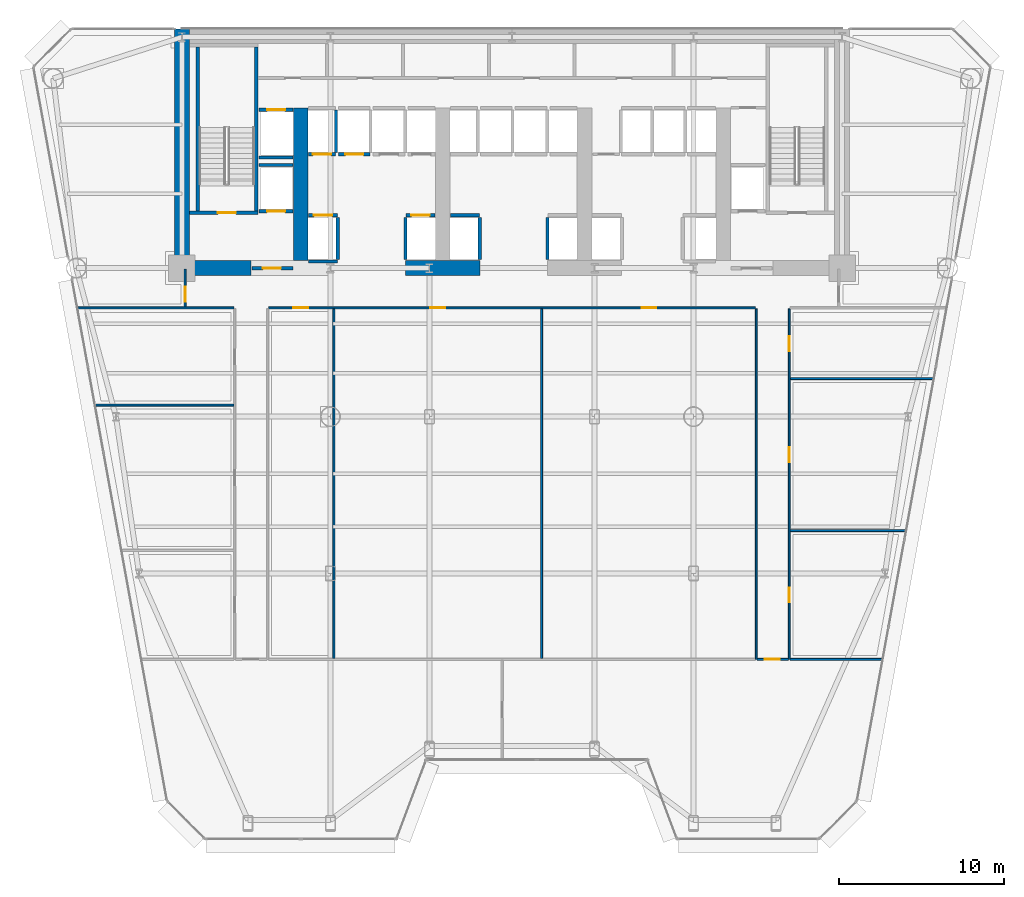
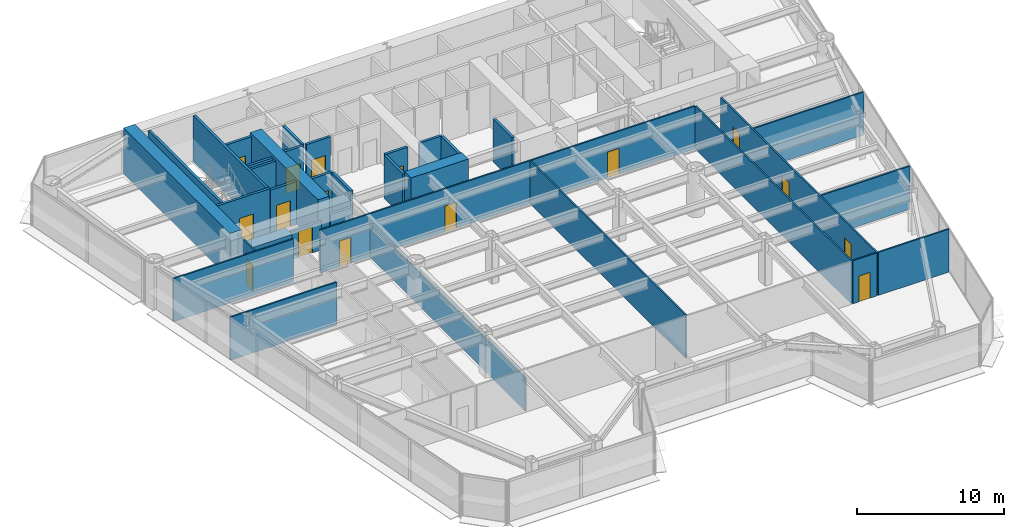
# One storey, part 8 of 14: 35 walls, 16 doors, 16 openings.
"""IFC4 building model written with IfcOpenShell, lengths in metres."""

from ifc_helpers import new_model, si_unit, direction, frame, frame_2d, origin, place, context, subcontext, project, spatial, rectangle, extrude, source, transform, mapped, material, layer, layer_set, type_object, element, fill, save


model = new_model("IFC4")

# Units and contexts
model_context = context("Model", 3, precision=1e-05, world=origin(), true_north=direction((0.0, 1.0)))
body_context = subcontext(model_context, "Body", "Model", "MODEL_VIEW")
ifc_project = project(units=[si_unit("LENGTHUNIT", "METRE"), si_unit("AREAUNIT", "SQUARE_METRE"), si_unit("VOLUMEUNIT", "CUBIC_METRE"), si_unit("PLANEANGLEUNIT", "RADIAN"), si_unit("MASSUNIT", "GRAM", prefix="KILO")], contexts=[model_context])

# Site, building, storey
site_placement = place(None, origin())
site = spatial("IfcSite", under=ifc_project, at=site_placement, CompositionType="ELEMENT")
building_placement = place(site_placement, origin())
building = spatial("IfcBuilding", under=site, at=building_placement, Name="Vaeldorn Concourse Tower", CompositionType="ELEMENT")
storey_placement = place(building_placement, frame((0.0, 0.0, 49.199951171875)))
storey = spatial("IfcBuildingStorey", under=building, at=storey_placement, Name="L12", CompositionType="ELEMENT", Elevation=49.199951171875)

# Walls
ifc_material_1 = material(Name="Concrete C60/75", Category="concrete")
ifc_layer_1 = layer(ifc_material_1, 0.89990234375)
ifc_layer_set_1 = layer_set([ifc_layer_1], Name="Concrete C60/75")
wall_type_1 = type_object("IfcWallType", Name="WL-CORE-900", PredefinedType="SHEAR", material=ifc_layer_set_1)
wall_1_placement = place(storey_placement, frame((14.0, 36.5, 0.0), z_axis=(0.0, 0.0, 1.0), x_axis=(0.0, 1.0, 0.0)))
element("IfcWall", 1, at=wall_1_placement, inside=storey, type_object=wall_type_1, Name="Rear Core Shear Wall L12 W1", PredefinedType="SHEAR", context=body_context, shape_type="SweptSolid", body=[
    extrude(rectangle(XDim=14.5, YDim=0.89990234375, at=frame_2d((7.25, 0.0))), origin(), (0.0, 0.0, 1.0), 3.800048828125),
])
wall_2_placement = place(storey_placement, frame((14.469970703125, 36.5, 0.0), z_axis=(0.0, 0.0, 1.0), x_axis=(1.0, 0.0, 0.0)))
element("IfcWall", 2, at=wall_2_placement, inside=storey, type_object=wall_type_1, Name="Rear Core Shear Wall L12 S1", PredefinedType="SHEAR", context=body_context, shape_type="SweptSolid", body=[
    extrude(rectangle(XDim=3.72998046875, YDim=0.89990234375, at=frame_2d((1.864990234375, 0.0))), origin(), (0.0, 0.0, 1.0), 2.380126953125),
])
wall_3_placement = place(storey_placement, frame((27.550048828125, 36.5, 0.0), z_axis=(0.0, 0.0, 1.0), x_axis=(1.0, 0.0, 0.0)))
element("IfcWall", 3, at=wall_3_placement, inside=storey, type_object=wall_type_1, Name="Rear Core Shear Wall L12 S2", PredefinedType="SHEAR", context=body_context, shape_type="SweptSolid", body=[
    extrude(rectangle(XDim=4.5, YDim=0.89990234375, at=frame_2d((2.25, 0.0))), origin(), (0.0, 0.0, 1.0), 3.800048828125),
])
wall_4_placement = place(storey_placement, frame((21.199951171875, 36.969970703125, 0.0), z_axis=(0.0, 0.0, 1.0), x_axis=(0.0, 1.0, 0.0)))
element("IfcWall", 4, at=wall_4_placement, inside=storey, type_object=wall_type_1, Name="Rear Core Shear Wall L12 M1", PredefinedType="SHEAR", context=body_context, shape_type="SweptSolid", body=[
    extrude(rectangle(XDim=9.22998046875, YDim=0.89990234375, at=frame_2d((4.614990234375, 0.0))), origin(), (0.0, 0.0, 1.0), 3.800048828125),
])

# Wall, openings, doors
ifc_material_2 = material(Name="Gypsum Board Partition", Category="gypsum")
ifc_layer_2 = layer(ifc_material_2, 0.1201171875)
ifc_layer_set_2 = layer_set([ifc_layer_2], Name="Gypsum Board Partition")
wall_type_2 = type_object("IfcWallType", Name="WL-PART-120", PredefinedType="PARTITIONING", material=ifc_layer_set_2)
wall_5_placement = place(storey_placement, frame((19.260009765625, 34.10009765625, 0.0), z_axis=(0.0, 0.0, 1.0), x_axis=(1.0, 0.0, 0.0)))
wall_5 = element("IfcWall", 5, at=wall_5_placement, inside=storey, type_object=wall_type_2, Name="Interior Wall PW-L12-CEWS", PredefinedType="PARTITIONING", context=body_context, shape_type="SweptSolid", body=[
    extrude(rectangle(XDim=29.47998046875, YDim=0.1201171875, at=frame_2d((14.739990234375, 0.0))), origin(), (0.0, 0.0, 1.0), 3.580078125),
])
opening_1_placement = place(wall_5_placement, frame((1.489990234375, 0.0, 0.0)))
opening_1 = element("IfcOpeningElement", 6, at=opening_1_placement, cuts=wall_5, Name="Opening D-03", PredefinedType="OPENING", context=body_context, shape_type="SweptSolid", body=[
    extrude(rectangle(XDim=0.89990234375, YDim=2.14990234375, at=frame_2d((0.449951171875, 1.074951171875))), frame((0.0, 0.070068359375, 0.0), z_axis=(0.0, -1.0, 0.0), x_axis=(1.0, 0.0, 0.0)), (0.0, 0.0, 1.0), 0.14013671875),
])
opening_2_placement = place(wall_5_placement, frame((9.7900390625, 0.0, 0.0)))
opening_2 = element("IfcOpeningElement", 7, at=opening_2_placement, cuts=wall_5, Name="Opening D-03", PredefinedType="OPENING", context=body_context, shape_type="SweptSolid", body=[
    extrude(rectangle(XDim=0.89990234375, YDim=2.14990234375, at=frame_2d((0.449951171875, 1.074951171875))), frame((0.0, 0.070068359375, 0.0), z_axis=(0.0, -1.0, 0.0), x_axis=(1.0, 0.0, 0.0)), (0.0, 0.0, 1.0), 0.14013671875),
])
opening_3_placement = place(wall_5_placement, frame((22.590087890625, 0.0, 0.0)))
opening_3 = element("IfcOpeningElement", 8, at=opening_3_placement, cuts=wall_5, Name="Opening D-03", PredefinedType="OPENING", context=body_context, shape_type="SweptSolid", body=[
    extrude(rectangle(XDim=0.89990234375, YDim=2.14990234375, at=frame_2d((0.449951171875, 1.074951171875))), frame((0.0, 0.070068359375, 0.0), z_axis=(0.0, -1.0, 0.0), x_axis=(1.0, 0.0, 0.0)), (0.0, 0.0, 1.0), 0.14013671875),
])
ifc_material_3 = material(Name="Acoustic Bronze-Framed Glass Door", Category="glass")
door_type_1 = type_object("IfcDoorType", Name="DR-INT-900", OperationType="NOTDEFINED", PredefinedType="DOOR", material=ifc_material_3)
shared_shape_1 = source(origin(), body_context, "Body", "SweptSolid", [
    extrude(rectangle(XDim=0.89990234375, YDim=2.14990234375, at=frame_2d((0.449951171875, 1.074951171875))), frame((0.0, 0.02490234375, 0.0), z_axis=(0.0, -1.0, 0.0), x_axis=(1.0, 0.0, 0.0)), (0.0, 0.0, 1.0), 0.050048828125),
])
door_1_placement = place(opening_1_placement, origin())
door_1 = element("IfcDoor", 9, at=door_1_placement, inside=storey, type_object=door_type_1, Name="Interior Door DR-L12-H1", OperationType="SINGLE_SWING_LEFT", OverallHeight=2.14990234375, OverallWidth=0.89990234375, PredefinedType="DOOR", context=body_context, shape_type="MappedRepresentation", body=[
    mapped(shared_shape_1, transform((0.0, 0.0, 0.0), scale=1.0)),
])
fill(opening_1, door_1)
door_2_placement = place(opening_2_placement, origin())
door_2 = element("IfcDoor", 10, at=door_2_placement, inside=storey, type_object=door_type_1, Name="Interior Door DR-L12-H2", OperationType="SINGLE_SWING_RIGHT", OverallHeight=2.14990234375, OverallWidth=0.89990234375, PredefinedType="DOOR", context=body_context, shape_type="MappedRepresentation", body=[
    mapped(shared_shape_1, transform((0.0, 0.0, 0.0), scale=1.0)),
])
fill(opening_2, door_2)
door_3_placement = place(opening_3_placement, origin())
door_3 = element("IfcDoor", 11, at=door_3_placement, inside=storey, type_object=door_type_1, Name="Interior Door DR-L12-H3", OperationType="SINGLE_SWING_LEFT", OverallHeight=2.14990234375, OverallWidth=0.89990234375, PredefinedType="DOOR", context=body_context, shape_type="MappedRepresentation", body=[
    mapped(shared_shape_1, transform((0.0, 0.0, 0.0), scale=1.0)),
])
fill(opening_3, door_3)

# Wall
wall_6_placement = place(storey_placement, frame((7.697998046875, 34.10009765625, 0.0), z_axis=(0.0, 0.0, 1.0), x_axis=(1.0, 0.0, 0.0)))
element("IfcWall", 12, at=wall_6_placement, inside=storey, type_object=wall_type_2, Name="Interior Wall PW-L12-CEWW", PredefinedType="PARTITIONING", context=body_context, shape_type="SweptSolid", body=[
    extrude(rectangle(XDim=9.44189453125, YDim=0.1201171875, at=frame_2d((4.720947265625, 0.0))), origin(), (0.0, 0.0, 1.0), 3.580078125),
])

# Wall, opening, door
wall_7_placement = place(storey_placement, frame((14.199951171875, 34.159912109375, 0.0), z_axis=(0.0, 0.0, 1.0), x_axis=(0.0, 1.0, 0.0)))
wall_7 = element("IfcWall", 13, at=wall_7_placement, inside=storey, type_object=wall_type_2, Name="Interior Wall PW-L12-CWWT", PredefinedType="PARTITIONING", context=body_context, shape_type="SweptSolid", body=[
    extrude(rectangle(XDim=2.280029296875, YDim=0.1201171875, at=frame_2d((1.14013671875, 0.0))), origin(), (0.0, 0.0, 1.0), 3.580078125),
])
opening_4_placement = place(wall_7_placement, frame((0.300048828125, 0.0, 0.0)))
opening_4 = element("IfcOpeningElement", 14, at=opening_4_placement, cuts=wall_7, Name="Opening D-03", PredefinedType="OPENING", context=body_context, shape_type="SweptSolid", body=[
    extrude(rectangle(XDim=0.89990234375, YDim=2.14990234375, at=frame_2d((0.449951171875, 1.074951171875))), frame((0.0, 0.070068359375, 0.0), z_axis=(0.0, -1.0, 0.0), x_axis=(1.0, 0.0, 0.0)), (0.0, 0.0, 1.0), 0.14013671875),
])
door_4_placement = place(opening_4_placement, origin())
door_4 = element("IfcDoor", 15, at=door_4_placement, inside=storey, type_object=door_type_1, Name="Interior Door DR-L12-NW1", OperationType="SINGLE_SWING_LEFT", OverallHeight=2.14990234375, OverallWidth=0.89990234375, PredefinedType="DOOR", context=body_context, shape_type="MappedRepresentation", body=[
    mapped(shared_shape_1, transform((0.0, 0.0, 0.0), scale=1.0)),
])
fill(opening_4, door_4)

# Wall
wall_8_placement = place(storey_placement, frame((48.800048828125, 12.800048828125, 0.0), z_axis=(0.0, 0.0, 1.0), x_axis=(0.0, 1.0, 0.0)))
element("IfcWall", 16, at=wall_8_placement, inside=storey, type_object=wall_type_2, Name="Interior Wall PW-L12-CEW", PredefinedType="PARTITIONING", context=body_context, shape_type="SweptSolid", body=[
    extrude(rectangle(XDim=21.239990234375, YDim=0.1201171875, at=frame_2d((10.6201171875, 0.0))), origin(), (0.0, 0.0, 1.0), 3.580078125),
])

# Wall, openings, doors
wall_9_placement = place(storey_placement, frame((50.800048828125, 12.800048828125, 0.0), z_axis=(0.0, 0.0, 1.0), x_axis=(0.0, 1.0, 0.0)))
wall_9 = element("IfcWall", 17, at=wall_9_placement, inside=storey, type_object=wall_type_2, Name="Interior Wall PW-L12-CEE", PredefinedType="PARTITIONING", context=body_context, shape_type="SweptSolid", body=[
    extrude(rectangle(XDim=21.239990234375, YDim=0.1201171875, at=frame_2d((10.6201171875, 0.0))), origin(), (0.0, 0.0, 1.0), 3.580078125),
])
opening_5_placement = place(wall_9_placement, frame((3.449951171875, 0.0, 0.0)))
opening_5 = element("IfcOpeningElement", 18, at=opening_5_placement, cuts=wall_9, Name="Opening D-03", PredefinedType="OPENING", context=body_context, shape_type="SweptSolid", body=[
    extrude(rectangle(XDim=0.89990234375, YDim=2.14990234375, at=frame_2d((0.449951171875, 1.074951171875))), frame((0.0, 0.070068359375, 0.0), z_axis=(0.0, -1.0, 0.0), x_axis=(1.0, 0.0, 0.0)), (0.0, 0.0, 1.0), 0.14013671875),
])
opening_6_placement = place(wall_9_placement, frame((11.949951171875, 0.0, 0.0)))
opening_6 = element("IfcOpeningElement", 19, at=opening_6_placement, cuts=wall_9, Name="Opening D-03", PredefinedType="OPENING", context=body_context, shape_type="SweptSolid", body=[
    extrude(rectangle(XDim=0.89990234375, YDim=2.14990234375, at=frame_2d((0.449951171875, 1.074951171875))), frame((0.0, 0.070068359375, 0.0), z_axis=(0.0, -1.0, 0.0), x_axis=(1.0, 0.0, 0.0)), (0.0, 0.0, 1.0), 0.14013671875),
])
opening_7_placement = place(wall_9_placement, frame((18.669921875, 0.0, 0.0)))
opening_7 = element("IfcOpeningElement", 20, at=opening_7_placement, cuts=wall_9, Name="Opening D-03", PredefinedType="OPENING", context=body_context, shape_type="SweptSolid", body=[
    extrude(rectangle(XDim=0.89990234375, YDim=2.14990234375, at=frame_2d((0.449951171875, 1.074951171875))), frame((0.0, 0.070068359375, 0.0), z_axis=(0.0, -1.0, 0.0), x_axis=(1.0, 0.0, 0.0)), (0.0, 0.0, 1.0), 0.14013671875),
])
door_5_placement = place(opening_5_placement, origin())
door_5 = element("IfcDoor", 21, at=door_5_placement, inside=storey, type_object=door_type_1, Name="Interior Door DR-L12-E1", OperationType="SINGLE_SWING_RIGHT", OverallHeight=2.14990234375, OverallWidth=0.89990234375, PredefinedType="DOOR", context=body_context, shape_type="MappedRepresentation", body=[
    mapped(shared_shape_1, transform((0.0, 0.0, 0.0), scale=1.0)),
])
fill(opening_5, door_5)
door_6_placement = place(opening_6_placement, origin())
door_6 = element("IfcDoor", 22, at=door_6_placement, inside=storey, type_object=door_type_1, Name="Interior Door DR-L12-E2", OperationType="SINGLE_SWING_LEFT", OverallHeight=2.14990234375, OverallWidth=0.89990234375, PredefinedType="DOOR", context=body_context, shape_type="MappedRepresentation", body=[
    mapped(shared_shape_1, transform((0.0, 0.0, 0.0), scale=1.0)),
])
fill(opening_6, door_6)
door_7_placement = place(opening_7_placement, origin())
door_7 = element("IfcDoor", 23, at=door_7_placement, inside=storey, type_object=door_type_1, Name="Interior Door DR-L12-E3", OperationType="SINGLE_SWING_RIGHT", OverallHeight=2.14990234375, OverallWidth=0.89990234375, PredefinedType="DOOR", context=body_context, shape_type="MappedRepresentation", body=[
    mapped(shared_shape_1, transform((0.0, 0.0, 0.0), scale=1.0)),
])
fill(opening_7, door_7)

# Wall, opening, door
wall_10_placement = place(storey_placement, frame((48.860107421875, 12.800048828125, 0.0), z_axis=(0.0, 0.0, 1.0), x_axis=(1.0, 0.0, 0.0)))
wall_10 = element("IfcWall", 24, at=wall_10_placement, inside=storey, type_object=wall_type_2, Name="Interior Wall PW-L12-CES", PredefinedType="PARTITIONING", context=body_context, shape_type="SweptSolid", body=[
    extrude(rectangle(XDim=1.8798828125, YDim=0.1201171875, at=frame_2d((0.93994140625, 0.0))), origin(), (0.0, 0.0, 1.0), 3.580078125),
])
opening_8_placement = place(wall_10_placement, frame((0.449951171875, 0.0, 0.0)))
opening_8 = element("IfcOpeningElement", 25, at=opening_8_placement, cuts=wall_10, Name="Opening D-03", PredefinedType="OPENING", context=body_context, shape_type="SweptSolid", body=[
    extrude(rectangle(XDim=0.89990234375, YDim=2.14990234375, at=frame_2d((0.449951171875, 1.074951171875))), frame((0.0, 0.070068359375, 0.0), z_axis=(0.0, -1.0, 0.0), x_axis=(1.0, 0.0, 0.0)), (0.0, 0.0, 1.0), 0.14013671875),
])
door_8_placement = place(opening_8_placement, origin())
door_8 = element("IfcDoor", 26, at=door_8_placement, inside=storey, type_object=door_type_1, Name="Interior Door DR-L12-SEL", OperationType="SINGLE_SWING_RIGHT", OverallHeight=2.14990234375, OverallWidth=0.89990234375, PredefinedType="DOOR", context=body_context, shape_type="MappedRepresentation", body=[
    mapped(shared_shape_1, transform((0.0, 0.0, 0.0), scale=1.0)),
])
fill(opening_8, door_8)

# Walls
wall_11_placement = place(storey_placement, frame((8.772216796875, 28.199951171875, 0.0), z_axis=(0.0, 0.0, 1.0), x_axis=(1.0, 0.0, 0.0)))
element("IfcWall", 27, at=wall_11_placement, inside=storey, type_object=wall_type_2, Name="Interior Wall PW-L12-WY2", PredefinedType="PARTITIONING", context=body_context, shape_type="SweptSolid", body=[
    extrude(rectangle(XDim=8.36767578125, YDim=0.1201171875, at=frame_2d((4.183837890625, 0.0))), origin(), (0.0, 0.0, 1.0), 3.580078125),
])
wall_12_placement = place(storey_placement, frame((50.860107421875, 12.800048828125, 0.0), z_axis=(0.0, 0.0, 1.0), x_axis=(1.0, 0.0, 0.0)))
element("IfcWall", 28, at=wall_12_placement, inside=storey, type_object=wall_type_2, Name="Interior Wall PW-L12-EY0", PredefinedType="PARTITIONING", context=body_context, shape_type="SweptSolid", body=[
    extrude(rectangle(XDim=5.56396484375, YDim=0.1201171875, at=frame_2d((2.781982421875, 0.0))), origin(), (0.0, 0.0, 1.0), 3.580078125),
])
wall_13_placement = place(storey_placement, frame((50.860107421875, 20.60009765625, 0.0), z_axis=(0.0, 0.0, 1.0), x_axis=(1.0, 0.0, 0.0)))
element("IfcWall", 29, at=wall_13_placement, inside=storey, type_object=wall_type_2, Name="Interior Wall PW-L12-EY1", PredefinedType="PARTITIONING", context=body_context, shape_type="SweptSolid", body=[
    extrude(rectangle(XDim=6.98388671875, YDim=0.1201171875, at=frame_2d((3.491943359375, 0.0))), origin(), (0.0, 0.0, 1.0), 3.580078125),
])
wall_14_placement = place(storey_placement, frame((50.860107421875, 29.800048828125, 0.0), z_axis=(0.0, 0.0, 1.0), x_axis=(1.0, 0.0, 0.0)))
element("IfcWall", 30, at=wall_14_placement, inside=storey, type_object=wall_type_2, Name="Interior Wall PW-L12-EY2", PredefinedType="PARTITIONING", context=body_context, shape_type="SweptSolid", body=[
    extrude(rectangle(XDim=8.658935546875, YDim=0.1201171875, at=frame_2d((4.32958984375, 0.0))), origin(), (0.0, 0.0, 1.0), 3.580078125),
])
wall_15_placement = place(storey_placement, frame((23.199951171875, 12.860107421875, 0.0), z_axis=(0.0, 0.0, 1.0), x_axis=(0.0, 1.0, 0.0)))
element("IfcWall", 31, at=wall_15_placement, inside=storey, type_object=wall_type_2, Name="Interior Wall PW-L12-HX1", PredefinedType="PARTITIONING", context=body_context, shape_type="SweptSolid", body=[
    extrude(rectangle(XDim=21.179931640625, YDim=0.1201171875, at=frame_2d((10.58984375, 0.0))), origin(), (0.0, 0.0, 1.0), 2.77001953125),
])
wall_16_placement = place(storey_placement, frame((35.800048828125, 12.860107421875, 0.0), z_axis=(0.0, 0.0, 1.0), x_axis=(0.0, 1.0, 0.0)))
element("IfcWall", 32, at=wall_16_placement, inside=storey, type_object=wall_type_2, Name="Interior Wall PW-L12-HX2", PredefinedType="PARTITIONING", context=body_context, shape_type="SweptSolid", body=[
    extrude(rectangle(XDim=21.179931640625, YDim=0.1201171875, at=frame_2d((10.58984375, 0.0))), origin(), (0.0, 0.0, 1.0), 3.580078125),
])

# Wall, opening, door
ifc_material_4 = material(Name="Concrete C50/60", Category="concrete")
ifc_layer_3 = layer(ifc_material_4, 0.199951171875)
ifc_layer_set_3 = layer_set([ifc_layer_3], Name="Concrete C50/60")
wall_type_3 = type_object("IfcWallType", Name="WL-SHAFT-200", PredefinedType="SOLIDWALL", material=ifc_layer_set_3)
wall_17_placement = place(storey_placement, frame((14.449951171875, 39.85009765625, 0.0), z_axis=(0.0, 0.0, 1.0), x_axis=(1.0, 0.0, 0.0)))
wall_17 = element("IfcWall", 33, at=wall_17_placement, inside=storey, type_object=wall_type_3, Name="Stair Shaft Wall CW-L12-ST-1-S", PredefinedType="SOLIDWALL", context=body_context, shape_type="SweptSolid", body=[
    extrude(rectangle(XDim=4.150146484375, YDim=0.199951171875, at=frame_2d((2.0751953125, 0.0))), origin(), (0.0, 0.0, 1.0), 3.800048828125),
])
opening_9_placement = place(wall_17_placement, frame((1.72509765625, 0.0, 0.0)))
opening_9 = element("IfcOpeningElement", 34, at=opening_9_placement, cuts=wall_17, Name="Opening D-01", PredefinedType="OPENING", context=body_context, shape_type="SweptSolid", body=[
    extrude(rectangle(XDim=1.10009765625, YDim=2.14990234375, at=frame_2d((0.550048828125, 1.074951171875))), frame((0.0, 0.10986328125, 0.0), z_axis=(0.0, -1.0, 0.0), x_axis=(1.0, 0.0, 0.0)), (0.0, 0.0, 1.0), 0.219970703125),
])
ifc_material_5 = material(Name="Fire-Rated Timber and Steel Leaf", Category="steel")
door_type_2 = type_object("IfcDoorType", Name="DR-FD60-1100", OperationType="NOTDEFINED", PredefinedType="DOOR", material=ifc_material_5)
shared_shape_2 = source(origin(), body_context, "Body", "SweptSolid", [
    extrude(rectangle(XDim=1.10009765625, YDim=2.14990234375, at=frame_2d((0.550048828125, 1.074951171875))), frame((0.0, 0.02490234375, 0.0), z_axis=(0.0, -1.0, 0.0), x_axis=(1.0, 0.0, 0.0)), (0.0, 0.0, 1.0), 0.050048828125),
])
door_9_placement = place(opening_9_placement, origin())
door_9 = element("IfcDoor", 35, at=door_9_placement, inside=storey, type_object=door_type_2, Name="Interior Door DR-L12-ST-1", OperationType="SINGLE_SWING_LEFT", OverallHeight=2.14990234375, OverallWidth=1.10009765625, PredefinedType="DOOR", context=body_context, shape_type="MappedRepresentation", body=[
    mapped(shared_shape_2, transform((0.0, 0.0, 0.0), scale=1.0)),
])
fill(opening_9, door_9)

# Walls
for number, where, z_axis, x_axis, name in (
    (36, (14.949951171875, 39.9599609375, 0.0), (0.0, 0.0, 1.0), (0.0, 1.0, 0.0), "Stair Shaft Wall CW-L12-ST-1-W"),
    (37, (18.5, 39.9599609375, 0.0), (0.0, 0.0, 1.0), (0.0, 1.0, 0.0), "Stair Shaft Wall CW-L12-ST-1-E"),
):
    element("IfcWall", number, at=place(storey_placement, frame(where, z_axis=z_axis, x_axis=x_axis)), inside=storey, type_object=wall_type_3, Name=name, PredefinedType="SOLIDWALL", context=body_context, shape_type="SweptSolid", body=[
        extrude(rectangle(XDim=9.929931640625, YDim=0.199951171875, at=frame_2d((4.96484375, 0.0))), origin(), (0.0, 0.0, 1.0), 3.800048828125),
    ])

# Wall, opening, door
wall_18_placement = place(storey_placement, frame((18.25, 36.5, 0.0), z_axis=(0.0, 0.0, 1.0), x_axis=(1.0, 0.0, 0.0)))
wall_18 = element("IfcWall", 38, at=wall_18_placement, inside=storey, type_object=wall_type_3, Name="Interior Wall CW-L12-FF1S", PredefinedType="SOLIDWALL", context=body_context, shape_type="SweptSolid", body=[
    extrude(rectangle(XDim=2.469970703125, YDim=0.199951171875, at=frame_2d((1.23486328125, 0.0))), origin(), (0.0, 0.0, 1.0), 2.3701171875),
])
opening_10_placement = place(wall_18_placement, frame((0.64990234375, 0.0, 0.0)))
opening_10 = element("IfcOpeningElement", 39, at=opening_10_placement, cuts=wall_18, Name="Opening D-01", PredefinedType="OPENING", context=body_context, shape_type="SweptSolid", body=[
    extrude(rectangle(XDim=1.10009765625, YDim=2.14990234375, at=frame_2d((0.550048828125, 1.074951171875))), frame((0.0, 0.10986328125, 0.0), z_axis=(0.0, -1.0, 0.0), x_axis=(1.0, 0.0, 0.0)), (0.0, 0.0, 1.0), 0.219970703125),
])
door_10_placement = place(opening_10_placement, origin())
door_10 = element("IfcDoor", 40, at=door_10_placement, inside=storey, type_object=door_type_2, Name="Interior Door DR-L12-FF1E", OperationType="SINGLE_SWING_RIGHT", OverallHeight=2.14990234375, OverallWidth=1.10009765625, PredefinedType="DOOR", context=body_context, shape_type="MappedRepresentation", body=[
    mapped(shared_shape_2, transform((0.0, 0.0, 0.0), scale=1.0)),
])
fill(opening_10, door_10)

wall_19_placement = place(storey_placement, frame((21.659912109375, 39.699951171875, 0.0), z_axis=(0.0, 0.0, 1.0), x_axis=(1.0, 0.0, 0.0)))
wall_19 = element("IfcWall", 41, at=wall_19_placement, inside=storey, type_object=wall_type_3, Name="Interior Wall CW-L12-LF-LF-01", PredefinedType="SOLIDWALL", context=body_context, shape_type="SweptSolid", body=[
    extrude(rectangle(XDim=1.77001953125, YDim=0.199951171875, at=frame_2d((0.885009765625, 0.0))), origin(), (0.0, 0.0, 1.0), 3.580078125),
])
opening_11_placement = place(wall_19_placement, frame((0.3349609375, 0.0, 0.0)))
opening_11 = element("IfcOpeningElement", 42, at=opening_11_placement, cuts=wall_19, Name="Opening LD-1", PredefinedType="OPENING", context=body_context, shape_type="SweptSolid", body=[
    extrude(rectangle(XDim=1.10009765625, YDim=2.14990234375, at=frame_2d((0.550048828125, 1.074951171875))), frame((0.0, 0.10986328125, 0.0), z_axis=(0.0, -1.0, 0.0), x_axis=(1.0, 0.0, 0.0)), (0.0, 0.0, 1.0), 0.219970703125),
])
ifc_material_6 = material(Name="Anodised Bronze Aluminium", Category="aluminium")
door_type_3 = type_object("IfcDoorType", Name="DR-LIFT-SLIDE-1100", OperationType="DOUBLE_DOOR_SLIDING", PredefinedType="DOOR", material=ifc_material_6)
door_11_placement = place(opening_11_placement, origin())
door_11 = element("IfcDoor", 43, at=door_11_placement, inside=storey, type_object=door_type_3, Name="Lift Landing Door LD-L12-LF-01", OperationType="DOUBLE_DOOR_SLIDING", OverallHeight=2.14990234375, OverallWidth=1.10009765625, PredefinedType="DOOR", context=body_context, shape_type="MappedRepresentation", body=[
    mapped(shared_shape_2, transform((0.0, 0.0, 0.0), scale=1.0)),
])
fill(opening_11, door_11)

# Walls
wall_20_placement = place(storey_placement, frame((21.659912109375, 36.89990234375, 0.0), z_axis=(0.0, 0.0, 1.0), x_axis=(1.0, 0.0, 0.0)))
element("IfcWall", 44, at=wall_20_placement, inside=storey, type_object=wall_type_3, Name="Interior Wall CW-L12-LFB-LF-01", PredefinedType="SOLIDWALL", context=body_context, shape_type="SweptSolid", body=[
    extrude(rectangle(XDim=1.77001953125, YDim=0.199951171875, at=frame_2d((0.885009765625, 0.0))), origin(), (0.0, 0.0, 1.0), 2.3701171875),
])
wall_21_placement = place(storey_placement, frame((23.449951171875, 37.02001953125, 0.0), z_axis=(0.0, 0.0, 1.0), x_axis=(0.0, 1.0, 0.0)))
element("IfcWall", 45, at=wall_21_placement, inside=storey, type_object=wall_type_3, Name="Interior Wall CW-L12-LFE-LF-01", PredefinedType="SOLIDWALL", context=body_context, shape_type="SweptSolid", body=[
    extrude(rectangle(XDim=2.56005859375, YDim=0.199951171875, at=frame_2d((1.280029296875, 0.0))), origin(), (0.0, 0.0, 1.0), 3.580078125),
])

# Wall, opening, door
wall_22_placement = place(storey_placement, frame((27.570068359375, 39.699951171875, 0.0), z_axis=(0.0, 0.0, 1.0), x_axis=(1.0, 0.0, 0.0)))
wall_22 = element("IfcWall", 46, at=wall_22_placement, inside=storey, type_object=wall_type_3, Name="Interior Wall CW-L12-LF-LF-02", PredefinedType="SOLIDWALL", context=body_context, shape_type="SweptSolid", body=[
    extrude(rectangle(XDim=1.77001953125, YDim=0.199951171875, at=frame_2d((0.885009765625, 0.0))), origin(), (0.0, 0.0, 1.0), 3.580078125),
])
opening_12_placement = place(wall_22_placement, frame((0.3349609375, 0.0, 0.0)))
opening_12 = element("IfcOpeningElement", 47, at=opening_12_placement, cuts=wall_22, Name="Opening LD-1", PredefinedType="OPENING", context=body_context, shape_type="SweptSolid", body=[
    extrude(rectangle(XDim=1.10009765625, YDim=2.14990234375, at=frame_2d((0.550048828125, 1.074951171875))), frame((0.0, 0.10986328125, 0.0), z_axis=(0.0, -1.0, 0.0), x_axis=(1.0, 0.0, 0.0)), (0.0, 0.0, 1.0), 0.219970703125),
])
door_12_placement = place(opening_12_placement, origin())
door_12 = element("IfcDoor", 48, at=door_12_placement, inside=storey, type_object=door_type_3, Name="Lift Landing Door LD-L12-LF-02", OperationType="DOUBLE_DOOR_SLIDING", OverallHeight=2.14990234375, OverallWidth=1.10009765625, PredefinedType="DOOR", context=body_context, shape_type="MappedRepresentation", body=[
    mapped(shared_shape_2, transform((0.0, 0.0, 0.0), scale=1.0)),
])
fill(opening_12, door_12)

# Wall
wall_23_placement = place(storey_placement, frame((27.550048828125, 37.02001953125, 0.0), z_axis=(0.0, 0.0, 1.0), x_axis=(0.0, 1.0, 0.0)))
element("IfcWall", 49, at=wall_23_placement, inside=storey, type_object=wall_type_3, Name="Interior Wall CW-L12-LFW-LF-02", PredefinedType="SOLIDWALL", context=body_context, shape_type="SweptSolid", body=[
    extrude(rectangle(XDim=2.56005859375, YDim=0.199951171875, at=frame_2d((1.280029296875, 0.0))), origin(), (0.0, 0.0, 1.0), 3.580078125),
])

# Wall, opening, door
wall_24_placement = place(storey_placement, frame((21.659912109375, 43.39990234375, 0.0), z_axis=(0.0, 0.0, 1.0), x_axis=(1.0, 0.0, 0.0)))
wall_24 = element("IfcWall", 50, at=wall_24_placement, inside=storey, type_object=wall_type_3, Name="Interior Wall CW-L12-LF-LF-03", PredefinedType="SOLIDWALL", context=body_context, shape_type="SweptSolid", body=[
    extrude(rectangle(XDim=1.650146484375, YDim=0.199951171875, at=frame_2d((0.8251953125, 0.0))), origin(), (0.0, 0.0, 1.0), 3.580078125),
])
opening_13_placement = place(wall_24_placement, frame((0.27490234375, 0.0, 0.0)))
opening_13 = element("IfcOpeningElement", 51, at=opening_13_placement, cuts=wall_24, Name="Opening LD-1", PredefinedType="OPENING", context=body_context, shape_type="SweptSolid", body=[
    extrude(rectangle(XDim=1.10009765625, YDim=2.14990234375, at=frame_2d((0.550048828125, 1.074951171875))), frame((0.0, 0.10986328125, 0.0), z_axis=(0.0, -1.0, 0.0), x_axis=(1.0, 0.0, 0.0)), (0.0, 0.0, 1.0), 0.219970703125),
])
door_13_placement = place(opening_13_placement, origin())
door_13 = element("IfcDoor", 52, at=door_13_placement, inside=storey, type_object=door_type_3, Name="Lift Landing Door LD-L12-LF-03", OperationType="DOUBLE_DOOR_SLIDING", OverallHeight=2.14990234375, OverallWidth=1.10009765625, PredefinedType="DOOR", context=body_context, shape_type="MappedRepresentation", body=[
    mapped(shared_shape_2, transform((0.0, 0.0, 0.0), scale=1.0)),
])
fill(opening_13, door_13)

# Wall
wall_25_placement = place(storey_placement, frame((23.330078125, 43.52001953125, 0.0), z_axis=(0.0, 0.0, 1.0), x_axis=(0.0, 1.0, 0.0)))
element("IfcWall", 53, at=wall_25_placement, inside=storey, type_object=wall_type_3, Name="Interior Wall CW-L12-LFE-LF-03", PredefinedType="SOLIDWALL", context=body_context, shape_type="SweptSolid", body=[
    extrude(rectangle(XDim=2.56005859375, YDim=0.199951171875, at=frame_2d((1.280029296875, 0.0))), origin(), (0.0, 0.0, 1.0), 3.580078125),
])

# Wall, opening, door
wall_26_placement = place(storey_placement, frame((23.489990234375, 43.39990234375, 0.0), z_axis=(0.0, 0.0, 1.0), x_axis=(1.0, 0.0, 0.0)))
wall_26 = element("IfcWall", 54, at=wall_26_placement, inside=storey, type_object=wall_type_3, Name="Interior Wall CW-L12-LF-LF-04", PredefinedType="SOLIDWALL", context=body_context, shape_type="SweptSolid", body=[
    extrude(rectangle(XDim=1.919921875, YDim=0.199951171875, at=frame_2d((0.9599609375, 0.0))), origin(), (0.0, 0.0, 1.0), 3.580078125),
])
opening_14_placement = place(wall_26_placement, frame((0.409912109375, 0.0, 0.0)))
opening_14 = element("IfcOpeningElement", 55, at=opening_14_placement, cuts=wall_26, Name="Opening LD-1", PredefinedType="OPENING", context=body_context, shape_type="SweptSolid", body=[
    extrude(rectangle(XDim=1.10009765625, YDim=2.14990234375, at=frame_2d((0.550048828125, 1.074951171875))), frame((0.0, 0.10986328125, 0.0), z_axis=(0.0, -1.0, 0.0), x_axis=(1.0, 0.0, 0.0)), (0.0, 0.0, 1.0), 0.219970703125),
])
door_14_placement = place(opening_14_placement, origin())
door_14 = element("IfcDoor", 56, at=door_14_placement, inside=storey, type_object=door_type_3, Name="Lift Landing Door LD-L12-LF-04", OperationType="DOUBLE_DOOR_SLIDING", OverallHeight=2.14990234375, OverallWidth=1.10009765625, PredefinedType="DOOR", context=body_context, shape_type="MappedRepresentation", body=[
    mapped(shared_shape_2, transform((0.0, 0.0, 0.0), scale=1.0)),
])
fill(opening_14, door_14)

# Walls
wall_27_placement = place(storey_placement, frame((30.260009765625, 39.699951171875, 0.0), z_axis=(0.0, 0.0, 1.0), x_axis=(1.0, 0.0, 0.0)))
element("IfcWall", 57, at=wall_27_placement, inside=storey, type_object=wall_type_3, Name="Interior Wall CW-L12-LF-LF-07", PredefinedType="SOLIDWALL", context=body_context, shape_type="SweptSolid", body=[
    extrude(rectangle(XDim=1.77001953125, YDim=0.199951171875, at=frame_2d((0.885009765625, 0.0))), origin(), (0.0, 0.0, 1.0), 3.580078125),
])
for number, where, z_axis, x_axis, name in (
    (58, (32.050048828125, 37.02001953125, 0.0), (0.0, 0.0, 1.0), (0.0, 1.0, 0.0), "Interior Wall CW-L12-LFE-LF-07"),
    (59, (36.14990234375, 37.02001953125, 0.0), (0.0, 0.0, 1.0), (0.0, 1.0, 0.0), "Interior Wall CW-L12-LFW-LF-08"),
):
    element("IfcWall", number, at=place(storey_placement, frame(where, z_axis=z_axis, x_axis=x_axis)), inside=storey, type_object=wall_type_3, Name=name, PredefinedType="SOLIDWALL", context=body_context, shape_type="SweptSolid", body=[
        extrude(rectangle(XDim=2.56005859375, YDim=0.199951171875, at=frame_2d((1.280029296875, 0.0))), origin(), (0.0, 0.0, 1.0), 3.580078125),
    ])

# Wall, opening, door
wall_28_placement = place(storey_placement, frame((18.669921875, 46.10009765625, 0.0), z_axis=(0.0, 0.0, 1.0), x_axis=(1.0, 0.0, 0.0)))
wall_28 = element("IfcWall", 60, at=wall_28_placement, inside=storey, type_object=wall_type_3, Name="Interior Wall CW-L12-LF-LF-SV1", PredefinedType="SOLIDWALL", context=body_context, shape_type="SweptSolid", body=[
    extrude(rectangle(XDim=2.070068359375, YDim=0.199951171875, at=frame_2d((1.03515625, 0.0))), origin(), (0.0, 0.0, 1.0), 3.580078125),
])
opening_15_placement = place(wall_28_placement, frame((0.485107421875, 0.0, 0.0)))
opening_15 = element("IfcOpeningElement", 61, at=opening_15_placement, cuts=wall_28, Name="Opening LD-1", PredefinedType="OPENING", context=body_context, shape_type="SweptSolid", body=[
    extrude(rectangle(XDim=1.10009765625, YDim=2.14990234375, at=frame_2d((0.550048828125, 1.074951171875))), frame((0.0, 0.10986328125, 0.0), z_axis=(0.0, -1.0, 0.0), x_axis=(1.0, 0.0, 0.0)), (0.0, 0.0, 1.0), 0.219970703125),
])
door_15_placement = place(opening_15_placement, origin())
door_15 = element("IfcDoor", 62, at=door_15_placement, inside=storey, type_object=door_type_3, Name="Lift Landing Door LD-L12-LF-SV1", OperationType="DOUBLE_DOOR_SLIDING", OverallHeight=2.14990234375, OverallWidth=1.10009765625, PredefinedType="DOOR", context=body_context, shape_type="MappedRepresentation", body=[
    mapped(shared_shape_2, transform((0.0, 0.0, 0.0), scale=1.0)),
])
fill(opening_15, door_15)

# Wall
wall_29_placement = place(storey_placement, frame((18.669921875, 43.199951171875, 0.0), z_axis=(0.0, 0.0, 1.0), x_axis=(1.0, 0.0, 0.0)))
element("IfcWall", 63, at=wall_29_placement, inside=storey, type_object=wall_type_3, Name="Interior Wall CW-L12-LFB-LF-SV1", PredefinedType="SOLIDWALL", context=body_context, shape_type="SweptSolid", body=[
    extrude(rectangle(XDim=2.070068359375, YDim=0.199951171875, at=frame_2d((1.03515625, 0.0))), origin(), (0.0, 0.0, 1.0), 3.580078125),
])

# Wall, opening, door
wall_30_placement = place(storey_placement, frame((18.669921875, 39.949951171875, 0.0), z_axis=(0.0, 0.0, 1.0), x_axis=(1.0, 0.0, 0.0)))
wall_30 = element("IfcWall", 64, at=wall_30_placement, inside=storey, type_object=wall_type_3, Name="Interior Wall CW-L12-LF-LF-FF1", PredefinedType="SOLIDWALL", context=body_context, shape_type="SweptSolid", body=[
    extrude(rectangle(XDim=2.070068359375, YDim=0.199951171875, at=frame_2d((1.03515625, 0.0))), origin(), (0.0, 0.0, 1.0), 3.580078125),
])
opening_16_placement = place(wall_30_placement, frame((0.485107421875, 0.0, 0.0)))
opening_16 = element("IfcOpeningElement", 65, at=opening_16_placement, cuts=wall_30, Name="Opening LD-1", PredefinedType="OPENING", context=body_context, shape_type="SweptSolid", body=[
    extrude(rectangle(XDim=1.10009765625, YDim=2.14990234375, at=frame_2d((0.550048828125, 1.074951171875))), frame((0.0, 0.10986328125, 0.0), z_axis=(0.0, -1.0, 0.0), x_axis=(1.0, 0.0, 0.0)), (0.0, 0.0, 1.0), 0.219970703125),
])
door_16_placement = place(opening_16_placement, origin())
door_16 = element("IfcDoor", 66, at=door_16_placement, inside=storey, type_object=door_type_3, Name="Lift Landing Door LD-L12-LF-FF1", OperationType="DOUBLE_DOOR_SLIDING", OverallHeight=2.14990234375, OverallWidth=1.10009765625, PredefinedType="DOOR", context=body_context, shape_type="MappedRepresentation", body=[
    mapped(shared_shape_2, transform((0.0, 0.0, 0.0), scale=1.0)),
])
fill(opening_16, door_16)

# Wall
wall_31_placement = place(storey_placement, frame((18.669921875, 42.75, 0.0), z_axis=(0.0, 0.0, 1.0), x_axis=(1.0, 0.0, 0.0)))
element("IfcWall", 67, at=wall_31_placement, inside=storey, type_object=wall_type_3, Name="Interior Wall CW-L12-LFB-LF-FF1", PredefinedType="SOLIDWALL", context=body_context, shape_type="SweptSolid", body=[
    extrude(rectangle(XDim=2.070068359375, YDim=0.199951171875, at=frame_2d((1.03515625, 0.0))), origin(), (0.0, 0.0, 1.0), 3.580078125),
])

save(model, "model.ifc")
